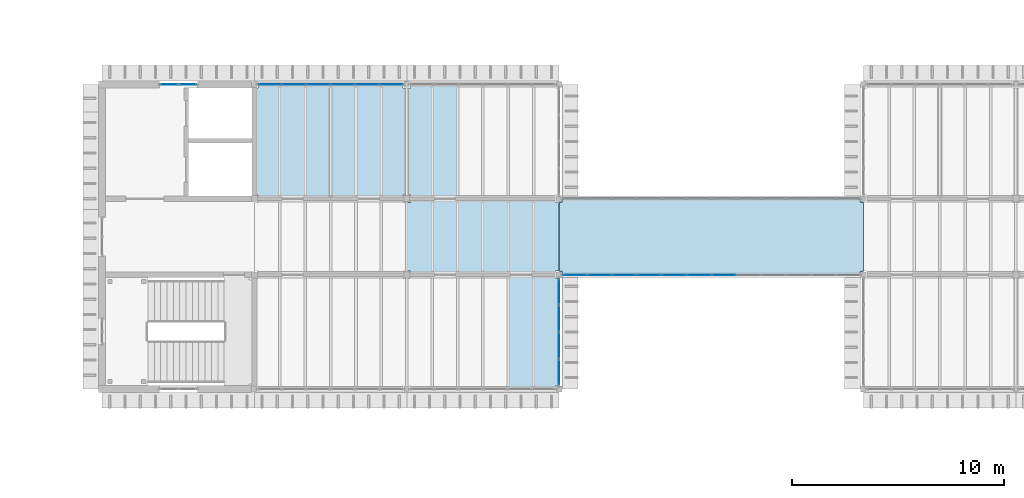
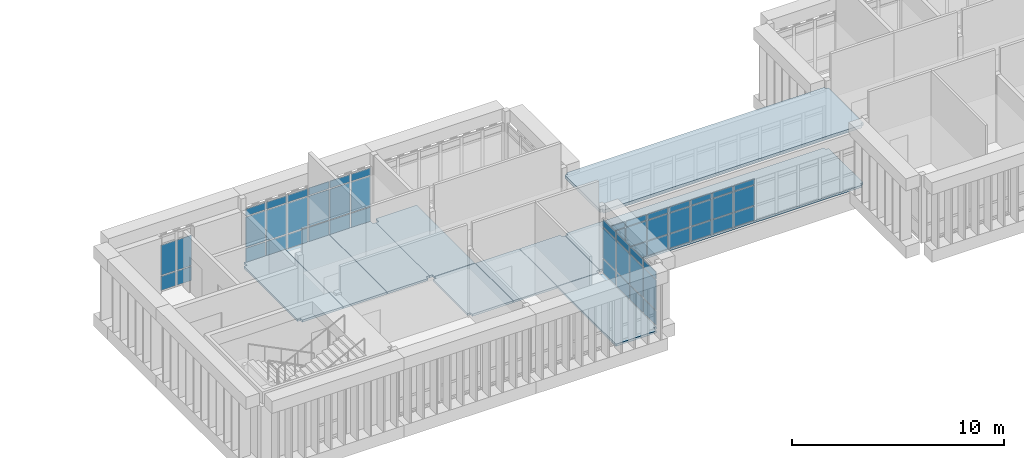
# One storey, part 24 of 51: 55 plates, 10 slabs, 4 elements without a shape of their own.
"""IFC4 building model written with IfcOpenShell, lengths in metres."""

from ifc_helpers import new_model, si_unit, direction, frame, origin, origin_2d, place, context, subcontext, project, spatial, polyline, rectangle, outline, extrude, material, layer, layer_set, type_object, element, aggregate, save


model = new_model("IFC4")

# Units and contexts
model_context = context("Model", 3, precision=1e-05, world=origin(), true_north=direction((0.0, 1.0)))
body_context = subcontext(model_context, "Body", "Model", "MODEL_VIEW")
ifc_project = project(units=[si_unit("LENGTHUNIT", "METRE"), si_unit("AREAUNIT", "SQUARE_METRE"), si_unit("VOLUMEUNIT", "CUBIC_METRE"), si_unit("PLANEANGLEUNIT", "RADIAN"), si_unit("MASSUNIT", "GRAM", prefix="KILO")], contexts=[model_context])

# Site, building, storey
site_placement = place(None, origin())
site = spatial("IfcSite", under=ifc_project, at=site_placement, CompositionType="ELEMENT")
building_placement = place(site_placement, origin())
building = spatial("IfcBuilding", under=site, at=building_placement, Name="Mazhai Court Health Centre", CompositionType="ELEMENT")
storey_placement = place(building_placement, frame((0.0, 0.0, 14.10009765625)))
storey = spatial("IfcBuildingStorey", under=building, at=storey_placement, Name="L03", CompositionType="ELEMENT", Elevation=14.10009765625)

# Slabs
ifc_material_1 = material(Name="CLT C24 5-ply", Category="wood")
ifc_layer_1 = layer(ifc_material_1, 0.1201171875)
ifc_layer_set_1 = layer_set([ifc_layer_1], Name="CLT C24 5-ply 120 floor panel")
slab_type_1 = type_object("IfcSlabType", Name="CLT C24 5-ply 120 floor panel", PredefinedType="FLOOR", material=ifc_layer_set_1)
slab_1_placement = place(storey_placement, frame((0.0, 0.0, -0.1201171875)))
element("IfcSlab", 1, at=slab_1_placement, inside=storey, type_object=slab_type_1, Name="slab-V4-L03-b1-B0", PredefinedType="FLOOR", context=body_context, shape_type="SweptSolid", body=[
    extrude(outline(polyline([(80.590087890625, 27.919921875), (78.3701171875, 27.919921875), (78.3701171875, 27.6298828125), (78.199951171875, 27.6298828125), (78.199951171875, 22.570068359375), (78.3701171875, 22.570068359375), (78.3701171875, 22.409912109375), (80.590087890625, 22.409912109375), (80.590087890625, 27.919921875)])), origin(), (0.0, 0.0, 1.0), 0.1201171875),
])
slab_2_placement = place(storey_placement, frame((0.0, 0.0, -0.1201171875)))
element("IfcSlab", 2, at=slab_2_placement, inside=storey, type_object=slab_type_1, Name="slab-V4-L03-b1-B1", PredefinedType="FLOOR", context=body_context, shape_type="SweptSolid", body=[
    extrude(outline(polyline([(80.610107421875, 22.409912109375), (82.989990234375, 22.409912109375), (82.989990234375, 27.919921875), (80.610107421875, 27.919921875), (80.610107421875, 22.409912109375)])), origin(), (0.0, 0.0, 1.0), 0.1201171875),
])
slab_3_placement = place(storey_placement, frame((0.0, 0.0, -0.1201171875)))
element("IfcSlab", 3, at=slab_3_placement, inside=storey, type_object=slab_type_1, Name="slab-V4-L03-b1-B2", PredefinedType="FLOOR", context=body_context, shape_type="SweptSolid", body=[
    extrude(outline(polyline([(85.39990234375, 22.570068359375), (85.39990234375, 27.6298828125), (85.22998046875, 27.6298828125), (85.22998046875, 27.919921875), (83.010009765625, 27.919921875), (83.010009765625, 22.409912109375), (85.22998046875, 22.409912109375), (85.22998046875, 22.570068359375), (85.39990234375, 22.570068359375)])), origin(), (0.0, 0.0, 1.0), 0.1201171875),
])
slab_4_placement = place(storey_placement, frame((0.0, 0.0, -0.1201171875)))
element("IfcSlab", 4, at=slab_4_placement, inside=storey, type_object=slab_type_1, Name="slab-V4-L03-b2-A2", PredefinedType="FLOOR", context=body_context, shape_type="SweptSolid", body=[
    extrude(outline(polyline([(92.60009765625, 13.570068359375), (92.60009765625, 18.6298828125), (92.429931640625, 18.6298828125), (92.429931640625, 18.7900390625), (90.2099609375, 18.7900390625), (90.2099609375, 13.280029296875), (92.429931640625, 13.280029296875), (92.429931640625, 13.570068359375), (92.60009765625, 13.570068359375)])), origin(), (0.0, 0.0, 1.0), 0.1201171875),
])
slab_5_placement = place(storey_placement, frame((0.0, 0.0, -0.1201171875)))
element("IfcSlab", 5, at=slab_5_placement, inside=storey, type_object=slab_type_1, Name="slab-V4-L03-b2-C0", PredefinedType="FLOOR", context=body_context, shape_type="SweptSolid", body=[
    extrude(outline(polyline([(87.7900390625, 22.389892578125), (85.570068359375, 22.389892578125), (85.570068359375, 22.22998046875), (85.39990234375, 22.22998046875), (85.39990234375, 18.969970703125), (85.570068359375, 18.969970703125), (85.570068359375, 18.81005859375), (87.7900390625, 18.81005859375), (87.7900390625, 22.389892578125)])), origin(), (0.0, 0.0, 1.0), 0.1201171875),
])
slab_6_placement = place(storey_placement, frame((0.0, 0.0, -0.1201171875)))
element("IfcSlab", 6, at=slab_6_placement, inside=storey, type_object=slab_type_1, Name="slab-V4-L03-b2-C1", PredefinedType="FLOOR", context=body_context, shape_type="SweptSolid", body=[
    extrude(outline(polyline([(87.81005859375, 18.81005859375), (90.18994140625, 18.81005859375), (90.18994140625, 22.389892578125), (87.81005859375, 22.389892578125), (87.81005859375, 18.81005859375)])), origin(), (0.0, 0.0, 1.0), 0.1201171875),
])
slab_7_placement = place(storey_placement, frame((0.0, 0.0, -0.1201171875)))
element("IfcSlab", 7, at=slab_7_placement, inside=storey, type_object=slab_type_1, Name="slab-V4-L03-b2-C2", PredefinedType="FLOOR", context=body_context, shape_type="SweptSolid", body=[
    extrude(outline(polyline([(92.60009765625, 18.969970703125), (92.60009765625, 22.22998046875), (92.429931640625, 22.22998046875), (92.429931640625, 22.389892578125), (90.2099609375, 22.389892578125), (90.2099609375, 18.81005859375), (92.429931640625, 18.81005859375), (92.429931640625, 18.969970703125), (92.60009765625, 18.969970703125)])), origin(), (0.0, 0.0, 1.0), 0.1201171875),
])
slab_8_placement = place(storey_placement, frame((0.0, 0.0, -0.1201171875)))
element("IfcSlab", 8, at=slab_8_placement, inside=storey, type_object=slab_type_1, Name="slab-V4-L03-b2-B0", PredefinedType="FLOOR", context=body_context, shape_type="SweptSolid", body=[
    extrude(outline(polyline([(87.7900390625, 27.919921875), (85.570068359375, 27.919921875), (85.570068359375, 27.6298828125), (85.39990234375, 27.6298828125), (85.39990234375, 22.570068359375), (85.570068359375, 22.570068359375), (85.570068359375, 22.409912109375), (87.7900390625, 22.409912109375), (87.7900390625, 27.919921875)])), origin(), (0.0, 0.0, 1.0), 0.1201171875),
])
slab_9_placement = place(storey_placement, frame((0.0, 0.0, -0.1201171875)))
element("IfcSlab", 9, at=slab_9_placement, inside=storey, type_object=slab_type_1, Name="slab-BR-LC3", PredefinedType="FLOOR", context=body_context, shape_type="SweptSolid", body=[
    extrude(outline(polyline([(106.989990234375, 18.969970703125), (106.989990234375, 22.22998046875), (106.830078125, 22.22998046875), (106.830078125, 22.3798828125), (92.77001953125, 22.3798828125), (92.77001953125, 22.22998046875), (92.610107421875, 22.22998046875), (92.610107421875, 18.969970703125), (92.77001953125, 18.969970703125), (92.77001953125, 18.820068359375), (106.830078125, 18.820068359375), (106.830078125, 18.969970703125), (106.989990234375, 18.969970703125)])), origin(), (0.0, 0.0, 1.0), 0.1201171875),
])
ifc_material_2 = material(Name="CLT C24 5-ply", Category="wood")
ifc_layer_2 = layer(ifc_material_2, 0.179931640625)
ifc_layer_set_2 = layer_set([ifc_layer_2], Name="CLT C24 5-ply 180 roof panel")
slab_type_2 = type_object("IfcSlabType", Name="CLT C24 5-ply 180 roof panel", PredefinedType="ROOF", material=ifc_layer_set_2)
slab_10_placement = place(storey_placement, frame((106.989990234375, 18.949951171875, 3.48486328125), z_axis=(0.0, 0.0, 1.0), x_axis=(0.0, 1.0, 0.0)))
element("IfcSlab", 10, at=slab_10_placement, inside=storey, type_object=slab_type_2, Name="slab-BR-LC3-roof", PredefinedType="ROOF", context=body_context, shape_type="SweptSolid", body=[
    extrude(outline(polyline([(0.0, 0.0), (3.300048828125, 0.0), (3.300048828125, 0.139892578125), (3.429931640625, 0.139892578125), (3.429931640625, 14.239990234375), (3.300048828125, 14.239990234375), (3.300048828125, 14.3798828125), (0.0, 14.3798828125), (0.0, 14.239990234375), (-0.1298828125, 14.239990234375), (-0.1298828125, 0.139892578125), (0.0, 0.139892578125), (0.0, 0.0)])), origin(), (0.0, 0.0, -1.0), 0.179931640625),
])

# Curtain wall, plates
ifc_material_3 = material(Name="Teak timber frame, glazed", Category="wood")
ifc_layer_3 = layer(ifc_material_3, 0.10009765625)
ifc_layer_set_3 = layer_set([ifc_layer_3], Name="CURTAIN WALL TIMBER 900")
curtain_wall_type_1 = type_object("IfcCurtainWallType", Name="CURTAIN WALL TIMBER 900", PredefinedType="NOTDEFINED", material=ifc_layer_set_3)
curtain_wall_1_placement = place(storey_placement, origin())
curtain_wall_1 = element("IfcCurtainWall", 11, at=curtain_wall_1_placement, inside=storey, type_object=curtain_wall_type_1, Name="CW-V4-L03-B0", PredefinedType="NOTDEFINED")
ifc_material_4 = material(Name="Glass IGU 28 mm", Category="glass")
ifc_layer_4 = layer(ifc_material_4, 0.028076171875)
ifc_layer_set_4 = layer_set([ifc_layer_4], Name="CW PANEL IGU 28")
plate_type = type_object("IfcPlateType", Name="CW PANEL IGU 28", PredefinedType="CURTAIN_PANEL", material=ifc_layer_set_4)
plate_1_placement = place(storey_placement, frame((74.1650390625, 27.800048828125, 0.059814453125), z_axis=(0.0, 0.0, 1.0), x_axis=(1.0, 0.0, 0.0)))
plate_1 = element("IfcPlate", 12, at=plate_1_placement, type_object=plate_type, Name="CW panel 1.1", PredefinedType="CURTAIN_PANEL", context=body_context, shape_type="SweptSolid", body=[
    extrude(rectangle(XDim=0.81005859375, YDim=0.028076171875, at=origin_2d()), origin(), (0.0, 0.0, 1.0), 0.81005859375),
])
plate_2_placement = place(storey_placement, frame((74.1650390625, 27.800048828125, 0.9296875), z_axis=(0.0, 0.0, 1.0), x_axis=(1.0, 0.0, 0.0)))
plate_2 = element("IfcPlate", 13, at=plate_2_placement, type_object=plate_type, Name="CW panel 1.2", PredefinedType="CURTAIN_PANEL", context=body_context, shape_type="SweptSolid", body=[
    extrude(rectangle(XDim=0.81005859375, YDim=0.028076171875, at=origin_2d()), origin(), (0.0, 0.0, 1.0), 1.739990234375),
])
plate_3_placement = place(storey_placement, frame((75.034912109375, 27.800048828125, 0.059814453125), z_axis=(0.0, 0.0, 1.0), x_axis=(1.0, 0.0, 0.0)))
plate_3 = element("IfcPlate", 14, at=plate_3_placement, type_object=plate_type, Name="CW panel 2.1", PredefinedType="CURTAIN_PANEL", context=body_context, shape_type="SweptSolid", body=[
    extrude(rectangle(XDim=0.81005859375, YDim=0.028076171875, at=origin_2d()), origin(), (0.0, 0.0, 1.0), 0.81005859375),
])
plate_4_placement = place(storey_placement, frame((75.034912109375, 27.800048828125, 0.9296875), z_axis=(0.0, 0.0, 1.0), x_axis=(1.0, 0.0, 0.0)))
plate_4 = element("IfcPlate", 15, at=plate_4_placement, type_object=plate_type, Name="CW panel 2.2", PredefinedType="CURTAIN_PANEL", context=body_context, shape_type="SweptSolid", body=[
    extrude(rectangle(XDim=0.81005859375, YDim=0.028076171875, at=origin_2d()), origin(), (0.0, 0.0, 1.0), 1.739990234375),
])
aggregate(curtain_wall_1, [plate_1, plate_2, plate_3, plate_4])

ifc_material_5 = material(Name="Teak timber frame, glazed", Category="wood")
ifc_layer_5 = layer(ifc_material_5, 0.10009765625)
ifc_layer_set_5 = layer_set([ifc_layer_5], Name="CURTAIN WALL TIMBER 1200")
curtain_wall_type_2 = type_object("IfcCurtainWallType", Name="CURTAIN WALL TIMBER 1200", PredefinedType="NOTDEFINED", material=ifc_layer_set_5)
curtain_wall_2_placement = place(storey_placement, origin())
curtain_wall_2 = element("IfcCurtainWall", 16, at=curtain_wall_2_placement, inside=storey, type_object=curtain_wall_type_2, Name="CW-V4-L03-B1", PredefinedType="NOTDEFINED")
plate_5_placement = place(storey_placement, frame((78.931640625, 27.800048828125, 0.059814453125), z_axis=(0.0, 0.0, 1.0), x_axis=(1.0, 0.0, 0.0)))
plate_5 = element("IfcPlate", 17, at=plate_5_placement, type_object=plate_type, Name="CW panel 1.1", PredefinedType="CURTAIN_PANEL", context=body_context, shape_type="SweptSolid", body=[
    extrude(rectangle(XDim=1.063232421875, YDim=0.028076171875, at=origin_2d()), origin(), (0.0, 0.0, 1.0), 0.81005859375),
])
plate_6_placement = place(storey_placement, frame((78.931640625, 27.800048828125, 0.9296875), z_axis=(0.0, 0.0, 1.0), x_axis=(1.0, 0.0, 0.0)))
plate_6 = element("IfcPlate", 18, at=plate_6_placement, type_object=plate_type, Name="CW panel 1.2", PredefinedType="CURTAIN_PANEL", context=body_context, shape_type="SweptSolid", body=[
    extrude(rectangle(XDim=1.063232421875, YDim=0.028076171875, at=origin_2d()), origin(), (0.0, 0.0, 1.0), 1.739990234375),
])
plate_7_placement = place(storey_placement, frame((78.931640625, 27.800048828125, 2.72998046875), z_axis=(0.0, 0.0, 1.0), x_axis=(1.0, 0.0, 0.0)))
plate_7 = element("IfcPlate", 19, at=plate_7_placement, type_object=plate_type, Name="CW panel 1.3", PredefinedType="CURTAIN_PANEL", context=body_context, shape_type="SweptSolid", body=[
    extrude(rectangle(XDim=1.063232421875, YDim=0.028076171875, at=origin_2d()), origin(), (0.0, 0.0, 1.0), 0.409912109375),
])
plate_8_placement = place(storey_placement, frame((80.070068359375, 27.800048828125, 0.059814453125), z_axis=(0.0, 0.0, 1.0), x_axis=(1.0, 0.0, 0.0)))
plate_8 = element("IfcPlate", 20, at=plate_8_placement, type_object=plate_type, Name="CW panel 2.1", PredefinedType="CURTAIN_PANEL", context=body_context, shape_type="SweptSolid", body=[
    extrude(rectangle(XDim=1.09326171875, YDim=0.028076171875, at=origin_2d()), origin(), (0.0, 0.0, 1.0), 0.81005859375),
])
plate_9_placement = place(storey_placement, frame((80.070068359375, 27.800048828125, 0.9296875), z_axis=(0.0, 0.0, 1.0), x_axis=(1.0, 0.0, 0.0)))
plate_9 = element("IfcPlate", 21, at=plate_9_placement, type_object=plate_type, Name="CW panel 2.2", PredefinedType="CURTAIN_PANEL", context=body_context, shape_type="SweptSolid", body=[
    extrude(rectangle(XDim=1.09326171875, YDim=0.028076171875, at=origin_2d()), origin(), (0.0, 0.0, 1.0), 1.739990234375),
])
plate_10_placement = place(storey_placement, frame((80.070068359375, 27.800048828125, 2.72998046875), z_axis=(0.0, 0.0, 1.0), x_axis=(1.0, 0.0, 0.0)))
plate_10 = element("IfcPlate", 22, at=plate_10_placement, type_object=plate_type, Name="CW panel 2.3", PredefinedType="CURTAIN_PANEL", context=body_context, shape_type="SweptSolid", body=[
    extrude(rectangle(XDim=1.09326171875, YDim=0.028076171875, at=origin_2d()), origin(), (0.0, 0.0, 1.0), 0.409912109375),
])
plate_11_placement = place(storey_placement, frame((81.223388671875, 27.800048828125, 0.059814453125), z_axis=(0.0, 0.0, 1.0), x_axis=(1.0, 0.0, 0.0)))
plate_11 = element("IfcPlate", 23, at=plate_11_placement, type_object=plate_type, Name="CW panel 3.1", PredefinedType="CURTAIN_PANEL", context=body_context, shape_type="SweptSolid", body=[
    extrude(rectangle(XDim=1.09326171875, YDim=0.028076171875, at=origin_2d()), origin(), (0.0, 0.0, 1.0), 0.81005859375),
])
plate_12_placement = place(storey_placement, frame((81.223388671875, 27.800048828125, 0.9296875), z_axis=(0.0, 0.0, 1.0), x_axis=(1.0, 0.0, 0.0)))
plate_12 = element("IfcPlate", 24, at=plate_12_placement, type_object=plate_type, Name="CW panel 3.2", PredefinedType="CURTAIN_PANEL", context=body_context, shape_type="SweptSolid", body=[
    extrude(rectangle(XDim=1.09326171875, YDim=0.028076171875, at=origin_2d()), origin(), (0.0, 0.0, 1.0), 1.739990234375),
])
plate_13_placement = place(storey_placement, frame((81.223388671875, 27.800048828125, 2.72998046875), z_axis=(0.0, 0.0, 1.0), x_axis=(1.0, 0.0, 0.0)))
plate_13 = element("IfcPlate", 25, at=plate_13_placement, type_object=plate_type, Name="CW panel 3.3", PredefinedType="CURTAIN_PANEL", context=body_context, shape_type="SweptSolid", body=[
    extrude(rectangle(XDim=1.09326171875, YDim=0.028076171875, at=origin_2d()), origin(), (0.0, 0.0, 1.0), 0.409912109375),
])
plate_14_placement = place(storey_placement, frame((82.376708984375, 27.800048828125, 0.059814453125), z_axis=(0.0, 0.0, 1.0), x_axis=(1.0, 0.0, 0.0)))
plate_14 = element("IfcPlate", 26, at=plate_14_placement, type_object=plate_type, Name="CW panel 4.1", PredefinedType="CURTAIN_PANEL", context=body_context, shape_type="SweptSolid", body=[
    extrude(rectangle(XDim=1.09326171875, YDim=0.028076171875, at=origin_2d()), origin(), (0.0, 0.0, 1.0), 0.81005859375),
])
plate_15_placement = place(storey_placement, frame((82.376708984375, 27.800048828125, 0.9296875), z_axis=(0.0, 0.0, 1.0), x_axis=(1.0, 0.0, 0.0)))
plate_15 = element("IfcPlate", 27, at=plate_15_placement, type_object=plate_type, Name="CW panel 4.2", PredefinedType="CURTAIN_PANEL", context=body_context, shape_type="SweptSolid", body=[
    extrude(rectangle(XDim=1.09326171875, YDim=0.028076171875, at=origin_2d()), origin(), (0.0, 0.0, 1.0), 1.739990234375),
])
plate_16_placement = place(storey_placement, frame((82.376708984375, 27.800048828125, 2.72998046875), z_axis=(0.0, 0.0, 1.0), x_axis=(1.0, 0.0, 0.0)))
plate_16 = element("IfcPlate", 28, at=plate_16_placement, type_object=plate_type, Name="CW panel 4.3", PredefinedType="CURTAIN_PANEL", context=body_context, shape_type="SweptSolid", body=[
    extrude(rectangle(XDim=1.09326171875, YDim=0.028076171875, at=origin_2d()), origin(), (0.0, 0.0, 1.0), 0.409912109375),
])
plate_17_placement = place(storey_placement, frame((83.530029296875, 27.800048828125, 0.059814453125), z_axis=(0.0, 0.0, 1.0), x_axis=(1.0, 0.0, 0.0)))
plate_17 = element("IfcPlate", 29, at=plate_17_placement, type_object=plate_type, Name="CW panel 5.1", PredefinedType="CURTAIN_PANEL", context=body_context, shape_type="SweptSolid", body=[
    extrude(rectangle(XDim=1.09326171875, YDim=0.028076171875, at=origin_2d()), origin(), (0.0, 0.0, 1.0), 0.81005859375),
])
plate_18_placement = place(storey_placement, frame((83.530029296875, 27.800048828125, 0.9296875), z_axis=(0.0, 0.0, 1.0), x_axis=(1.0, 0.0, 0.0)))
plate_18 = element("IfcPlate", 30, at=plate_18_placement, type_object=plate_type, Name="CW panel 5.2", PredefinedType="CURTAIN_PANEL", context=body_context, shape_type="SweptSolid", body=[
    extrude(rectangle(XDim=1.09326171875, YDim=0.028076171875, at=origin_2d()), origin(), (0.0, 0.0, 1.0), 1.739990234375),
])
plate_19_placement = place(storey_placement, frame((83.530029296875, 27.800048828125, 2.72998046875), z_axis=(0.0, 0.0, 1.0), x_axis=(1.0, 0.0, 0.0)))
plate_19 = element("IfcPlate", 31, at=plate_19_placement, type_object=plate_type, Name="CW panel 5.3", PredefinedType="CURTAIN_PANEL", context=body_context, shape_type="SweptSolid", body=[
    extrude(rectangle(XDim=1.09326171875, YDim=0.028076171875, at=origin_2d()), origin(), (0.0, 0.0, 1.0), 0.409912109375),
])
plate_20_placement = place(storey_placement, frame((84.668212890625, 27.800048828125, 0.059814453125), z_axis=(0.0, 0.0, 1.0), x_axis=(1.0, 0.0, 0.0)))
plate_20 = element("IfcPlate", 32, at=plate_20_placement, type_object=plate_type, Name="CW panel 6.1", PredefinedType="CURTAIN_PANEL", context=body_context, shape_type="SweptSolid", body=[
    extrude(rectangle(XDim=1.063232421875, YDim=0.028076171875, at=origin_2d()), origin(), (0.0, 0.0, 1.0), 0.81005859375),
])
plate_21_placement = place(storey_placement, frame((84.668212890625, 27.800048828125, 0.9296875), z_axis=(0.0, 0.0, 1.0), x_axis=(1.0, 0.0, 0.0)))
plate_21 = element("IfcPlate", 33, at=plate_21_placement, type_object=plate_type, Name="CW panel 6.2", PredefinedType="CURTAIN_PANEL", context=body_context, shape_type="SweptSolid", body=[
    extrude(rectangle(XDim=1.063232421875, YDim=0.028076171875, at=origin_2d()), origin(), (0.0, 0.0, 1.0), 1.739990234375),
])
plate_22_placement = place(storey_placement, frame((84.668212890625, 27.800048828125, 2.72998046875), z_axis=(0.0, 0.0, 1.0), x_axis=(1.0, 0.0, 0.0)))
plate_22 = element("IfcPlate", 34, at=plate_22_placement, type_object=plate_type, Name="CW panel 6.3", PredefinedType="CURTAIN_PANEL", context=body_context, shape_type="SweptSolid", body=[
    extrude(rectangle(XDim=1.063232421875, YDim=0.028076171875, at=origin_2d()), origin(), (0.0, 0.0, 1.0), 0.409912109375),
])
aggregate(curtain_wall_2, [plate_5, plate_6, plate_7, plate_8, plate_9, plate_10, plate_11, plate_12, plate_13, plate_14, plate_15, plate_16, plate_17, plate_18, plate_19, plate_20, plate_21, plate_22])

curtain_wall_3_placement = place(storey_placement, origin())
curtain_wall_3 = element("IfcCurtainWall", 35, at=curtain_wall_3_placement, inside=storey, type_object=curtain_wall_type_2, Name="CW-V4-L03-CE2-0", PredefinedType="NOTDEFINED")
plate_23_placement = place(storey_placement, frame((92.60009765625, 18.0048828125, 0.059814453125), z_axis=(0.0, 0.0, 1.0), x_axis=(0.0, -1.0, 0.0)))
plate_23 = element("IfcPlate", 36, at=plate_23_placement, type_object=plate_type, Name="CW panel 1.1", PredefinedType="CURTAIN_PANEL", context=body_context, shape_type="SweptSolid", body=[
    extrude(rectangle(XDim=1.18994140625, YDim=0.028076171875, at=origin_2d()), origin(), (0.0, 0.0, 1.0), 0.81005859375),
])
plate_24_placement = place(storey_placement, frame((92.60009765625, 18.0048828125, 0.9296875), z_axis=(0.0, 0.0, 1.0), x_axis=(0.0, -1.0, 0.0)))
plate_24 = element("IfcPlate", 37, at=plate_24_placement, type_object=plate_type, Name="CW panel 1.2", PredefinedType="CURTAIN_PANEL", context=body_context, shape_type="SweptSolid", body=[
    extrude(rectangle(XDim=1.18994140625, YDim=0.028076171875, at=origin_2d()), origin(), (0.0, 0.0, 1.0), 1.739990234375),
])
plate_25_placement = place(storey_placement, frame((92.60009765625, 18.0048828125, 2.72998046875), z_axis=(0.0, 0.0, 1.0), x_axis=(0.0, -1.0, 0.0)))
plate_25 = element("IfcPlate", 38, at=plate_25_placement, type_object=plate_type, Name="CW panel 1.3", PredefinedType="CURTAIN_PANEL", context=body_context, shape_type="SweptSolid", body=[
    extrude(rectangle(XDim=1.18994140625, YDim=0.028076171875, at=origin_2d()), origin(), (0.0, 0.0, 1.0), 0.409912109375),
])
plate_26_placement = place(storey_placement, frame((92.60009765625, 16.739990234375, 0.059814453125), z_axis=(0.0, 0.0, 1.0), x_axis=(0.0, -1.0, 0.0)))
plate_26 = element("IfcPlate", 39, at=plate_26_placement, type_object=plate_type, Name="CW panel 2.1", PredefinedType="CURTAIN_PANEL", context=body_context, shape_type="SweptSolid", body=[
    extrude(rectangle(XDim=1.219970703125, YDim=0.028076171875, at=origin_2d()), origin(), (0.0, 0.0, 1.0), 0.81005859375),
])
plate_27_placement = place(storey_placement, frame((92.60009765625, 16.739990234375, 0.9296875), z_axis=(0.0, 0.0, 1.0), x_axis=(0.0, -1.0, 0.0)))
plate_27 = element("IfcPlate", 40, at=plate_27_placement, type_object=plate_type, Name="CW panel 2.2", PredefinedType="CURTAIN_PANEL", context=body_context, shape_type="SweptSolid", body=[
    extrude(rectangle(XDim=1.219970703125, YDim=0.028076171875, at=origin_2d()), origin(), (0.0, 0.0, 1.0), 1.739990234375),
])
plate_28_placement = place(storey_placement, frame((92.60009765625, 16.739990234375, 2.72998046875), z_axis=(0.0, 0.0, 1.0), x_axis=(0.0, -1.0, 0.0)))
plate_28 = element("IfcPlate", 41, at=plate_28_placement, type_object=plate_type, Name="CW panel 2.3", PredefinedType="CURTAIN_PANEL", context=body_context, shape_type="SweptSolid", body=[
    extrude(rectangle(XDim=1.219970703125, YDim=0.028076171875, at=origin_2d()), origin(), (0.0, 0.0, 1.0), 0.409912109375),
])
plate_29_placement = place(storey_placement, frame((92.60009765625, 15.4599609375, 0.059814453125), z_axis=(0.0, 0.0, 1.0), x_axis=(0.0, -1.0, 0.0)))
plate_29 = element("IfcPlate", 42, at=plate_29_placement, type_object=plate_type, Name="CW panel 3.1", PredefinedType="CURTAIN_PANEL", context=body_context, shape_type="SweptSolid", body=[
    extrude(rectangle(XDim=1.219970703125, YDim=0.028076171875, at=origin_2d()), origin(), (0.0, 0.0, 1.0), 0.81005859375),
])
plate_30_placement = place(storey_placement, frame((92.60009765625, 15.4599609375, 0.9296875), z_axis=(0.0, 0.0, 1.0), x_axis=(0.0, -1.0, 0.0)))
plate_30 = element("IfcPlate", 43, at=plate_30_placement, type_object=plate_type, Name="CW panel 3.2", PredefinedType="CURTAIN_PANEL", context=body_context, shape_type="SweptSolid", body=[
    extrude(rectangle(XDim=1.219970703125, YDim=0.028076171875, at=origin_2d()), origin(), (0.0, 0.0, 1.0), 1.739990234375),
])
plate_31_placement = place(storey_placement, frame((92.60009765625, 15.4599609375, 2.72998046875), z_axis=(0.0, 0.0, 1.0), x_axis=(0.0, -1.0, 0.0)))
plate_31 = element("IfcPlate", 44, at=plate_31_placement, type_object=plate_type, Name="CW panel 3.3", PredefinedType="CURTAIN_PANEL", context=body_context, shape_type="SweptSolid", body=[
    extrude(rectangle(XDim=1.219970703125, YDim=0.028076171875, at=origin_2d()), origin(), (0.0, 0.0, 1.0), 0.409912109375),
])
plate_32_placement = place(storey_placement, frame((92.60009765625, 14.195068359375, 0.059814453125), z_axis=(0.0, 0.0, 1.0), x_axis=(0.0, -1.0, 0.0)))
plate_32 = element("IfcPlate", 45, at=plate_32_placement, type_object=plate_type, Name="CW panel 4.1", PredefinedType="CURTAIN_PANEL", context=body_context, shape_type="SweptSolid", body=[
    extrude(rectangle(XDim=1.18994140625, YDim=0.028076171875, at=origin_2d()), origin(), (0.0, 0.0, 1.0), 0.81005859375),
])
plate_33_placement = place(storey_placement, frame((92.60009765625, 14.195068359375, 0.9296875), z_axis=(0.0, 0.0, 1.0), x_axis=(0.0, -1.0, 0.0)))
plate_33 = element("IfcPlate", 46, at=plate_33_placement, type_object=plate_type, Name="CW panel 4.2", PredefinedType="CURTAIN_PANEL", context=body_context, shape_type="SweptSolid", body=[
    extrude(rectangle(XDim=1.18994140625, YDim=0.028076171875, at=origin_2d()), origin(), (0.0, 0.0, 1.0), 1.739990234375),
])
plate_34_placement = place(storey_placement, frame((92.60009765625, 14.195068359375, 2.72998046875), z_axis=(0.0, 0.0, 1.0), x_axis=(0.0, -1.0, 0.0)))
plate_34 = element("IfcPlate", 47, at=plate_34_placement, type_object=plate_type, Name="CW panel 4.3", PredefinedType="CURTAIN_PANEL", context=body_context, shape_type="SweptSolid", body=[
    extrude(rectangle(XDim=1.18994140625, YDim=0.028076171875, at=origin_2d()), origin(), (0.0, 0.0, 1.0), 0.409912109375),
])
aggregate(curtain_wall_3, [plate_23, plate_24, plate_25, plate_26, plate_27, plate_28, plate_29, plate_30, plate_31, plate_32, plate_33, plate_34])

curtain_wall_4_placement = place(storey_placement, origin())
curtain_wall_4 = element("IfcCurtainWall", 48, at=curtain_wall_4_placement, inside=storey, type_object=curtain_wall_type_2, Name="CW-BR-LC3-S", PredefinedType="NOTDEFINED")
plate_35_placement = place(storey_placement, frame((93.34326171875, 18.800048828125, 0.059814453125), z_axis=(0.0, 0.0, 1.0), x_axis=(1.0, 0.0, 0.0)))
plate_35 = element("IfcPlate", 49, at=plate_35_placement, type_object=plate_type, Name="CW panel 1.1", PredefinedType="CURTAIN_PANEL", context=body_context, shape_type="SweptSolid", body=[
    extrude(rectangle(XDim=1.086669921875, YDim=0.028076171875, at=origin_2d()), origin(), (0.0, 0.0, 1.0), 0.81005859375),
])
plate_36_placement = place(storey_placement, frame((93.34326171875, 18.800048828125, 0.929931640625), z_axis=(0.0, 0.0, 1.0), x_axis=(1.0, 0.0, 0.0)))
plate_36 = element("IfcPlate", 50, at=plate_36_placement, type_object=plate_type, Name="CW panel 1.2", PredefinedType="CURTAIN_PANEL", context=body_context, shape_type="SweptSolid", body=[
    extrude(rectangle(XDim=1.086669921875, YDim=0.028076171875, at=origin_2d()), origin(), (0.0, 0.0, 1.0), 1.14501953125),
])
plate_37_placement = place(storey_placement, frame((93.34326171875, 18.800048828125, 2.134765625), z_axis=(0.0, 0.0, 1.0), x_axis=(1.0, 0.0, 0.0)))
plate_37 = element("IfcPlate", 51, at=plate_37_placement, type_object=plate_type, Name="CW panel 1.3", PredefinedType="CURTAIN_PANEL", context=body_context, shape_type="SweptSolid", body=[
    extrude(rectangle(XDim=1.086669921875, YDim=0.028076171875, at=origin_2d()), origin(), (0.0, 0.0, 1.0), 0.31005859375),
])
plate_38_placement = place(storey_placement, frame((94.5048828125, 18.800048828125, 0.059814453125), z_axis=(0.0, 0.0, 1.0), x_axis=(1.0, 0.0, 0.0)))
plate_38 = element("IfcPlate", 52, at=plate_38_placement, type_object=plate_type, Name="CW panel 2.1", PredefinedType="CURTAIN_PANEL", context=body_context, shape_type="SweptSolid", body=[
    extrude(rectangle(XDim=1.11669921875, YDim=0.028076171875, at=origin_2d()), origin(), (0.0, 0.0, 1.0), 0.81005859375),
])
plate_39_placement = place(storey_placement, frame((94.5048828125, 18.800048828125, 0.929931640625), z_axis=(0.0, 0.0, 1.0), x_axis=(1.0, 0.0, 0.0)))
plate_39 = element("IfcPlate", 53, at=plate_39_placement, type_object=plate_type, Name="CW panel 2.2", PredefinedType="CURTAIN_PANEL", context=body_context, shape_type="SweptSolid", body=[
    extrude(rectangle(XDim=1.11669921875, YDim=0.028076171875, at=origin_2d()), origin(), (0.0, 0.0, 1.0), 1.14501953125),
])
plate_40_placement = place(storey_placement, frame((94.5048828125, 18.800048828125, 2.134765625), z_axis=(0.0, 0.0, 1.0), x_axis=(1.0, 0.0, 0.0)))
plate_40 = element("IfcPlate", 54, at=plate_40_placement, type_object=plate_type, Name="CW panel 2.3", PredefinedType="CURTAIN_PANEL", context=body_context, shape_type="SweptSolid", body=[
    extrude(rectangle(XDim=1.11669921875, YDim=0.028076171875, at=origin_2d()), origin(), (0.0, 0.0, 1.0), 0.31005859375),
])
plate_41_placement = place(storey_placement, frame((95.681640625, 18.800048828125, 0.059814453125), z_axis=(0.0, 0.0, 1.0), x_axis=(1.0, 0.0, 0.0)))
plate_41 = element("IfcPlate", 55, at=plate_41_placement, type_object=plate_type, Name="CW panel 3.1", PredefinedType="CURTAIN_PANEL", context=body_context, shape_type="SweptSolid", body=[
    extrude(rectangle(XDim=1.11669921875, YDim=0.028076171875, at=origin_2d()), origin(), (0.0, 0.0, 1.0), 0.81005859375),
])
plate_42_placement = place(storey_placement, frame((95.681640625, 18.800048828125, 0.929931640625), z_axis=(0.0, 0.0, 1.0), x_axis=(1.0, 0.0, 0.0)))
plate_42 = element("IfcPlate", 56, at=plate_42_placement, type_object=plate_type, Name="CW panel 3.2", PredefinedType="CURTAIN_PANEL", context=body_context, shape_type="SweptSolid", body=[
    extrude(rectangle(XDim=1.11669921875, YDim=0.028076171875, at=origin_2d()), origin(), (0.0, 0.0, 1.0), 1.14501953125),
])
plate_43_placement = place(storey_placement, frame((95.681640625, 18.800048828125, 2.134765625), z_axis=(0.0, 0.0, 1.0), x_axis=(1.0, 0.0, 0.0)))
plate_43 = element("IfcPlate", 57, at=plate_43_placement, type_object=plate_type, Name="CW panel 3.3", PredefinedType="CURTAIN_PANEL", context=body_context, shape_type="SweptSolid", body=[
    extrude(rectangle(XDim=1.11669921875, YDim=0.028076171875, at=origin_2d()), origin(), (0.0, 0.0, 1.0), 0.31005859375),
])
plate_44_placement = place(storey_placement, frame((96.8583984375, 18.800048828125, 0.059814453125), z_axis=(0.0, 0.0, 1.0), x_axis=(1.0, 0.0, 0.0)))
plate_44 = element("IfcPlate", 58, at=plate_44_placement, type_object=plate_type, Name="CW panel 4.1", PredefinedType="CURTAIN_PANEL", context=body_context, shape_type="SweptSolid", body=[
    extrude(rectangle(XDim=1.11669921875, YDim=0.028076171875, at=origin_2d()), origin(), (0.0, 0.0, 1.0), 0.81005859375),
])
plate_45_placement = place(storey_placement, frame((96.8583984375, 18.800048828125, 0.929931640625), z_axis=(0.0, 0.0, 1.0), x_axis=(1.0, 0.0, 0.0)))
plate_45 = element("IfcPlate", 59, at=plate_45_placement, type_object=plate_type, Name="CW panel 4.2", PredefinedType="CURTAIN_PANEL", context=body_context, shape_type="SweptSolid", body=[
    extrude(rectangle(XDim=1.11669921875, YDim=0.028076171875, at=origin_2d()), origin(), (0.0, 0.0, 1.0), 1.14501953125),
])
plate_46_placement = place(storey_placement, frame((96.8583984375, 18.800048828125, 2.134765625), z_axis=(0.0, 0.0, 1.0), x_axis=(1.0, 0.0, 0.0)))
plate_46 = element("IfcPlate", 60, at=plate_46_placement, type_object=plate_type, Name="CW panel 4.3", PredefinedType="CURTAIN_PANEL", context=body_context, shape_type="SweptSolid", body=[
    extrude(rectangle(XDim=1.11669921875, YDim=0.028076171875, at=origin_2d()), origin(), (0.0, 0.0, 1.0), 0.31005859375),
])
plate_47_placement = place(storey_placement, frame((98.034912109375, 18.800048828125, 0.059814453125), z_axis=(0.0, 0.0, 1.0), x_axis=(1.0, 0.0, 0.0)))
plate_47 = element("IfcPlate", 61, at=plate_47_placement, type_object=plate_type, Name="CW panel 5.1", PredefinedType="CURTAIN_PANEL", context=body_context, shape_type="SweptSolid", body=[
    extrude(rectangle(XDim=1.11669921875, YDim=0.028076171875, at=origin_2d()), origin(), (0.0, 0.0, 1.0), 0.81005859375),
])
plate_48_placement = place(storey_placement, frame((98.034912109375, 18.800048828125, 0.929931640625), z_axis=(0.0, 0.0, 1.0), x_axis=(1.0, 0.0, 0.0)))
plate_48 = element("IfcPlate", 62, at=plate_48_placement, type_object=plate_type, Name="CW panel 5.2", PredefinedType="CURTAIN_PANEL", context=body_context, shape_type="SweptSolid", body=[
    extrude(rectangle(XDim=1.11669921875, YDim=0.028076171875, at=origin_2d()), origin(), (0.0, 0.0, 1.0), 1.14501953125),
])
plate_49_placement = place(storey_placement, frame((98.034912109375, 18.800048828125, 2.134765625), z_axis=(0.0, 0.0, 1.0), x_axis=(1.0, 0.0, 0.0)))
plate_49 = element("IfcPlate", 63, at=plate_49_placement, type_object=plate_type, Name="CW panel 5.3", PredefinedType="CURTAIN_PANEL", context=body_context, shape_type="SweptSolid", body=[
    extrude(rectangle(XDim=1.11669921875, YDim=0.028076171875, at=origin_2d()), origin(), (0.0, 0.0, 1.0), 0.31005859375),
])
plate_50_placement = place(storey_placement, frame((99.211669921875, 18.800048828125, 0.059814453125), z_axis=(0.0, 0.0, 1.0), x_axis=(1.0, 0.0, 0.0)))
plate_50 = element("IfcPlate", 64, at=plate_50_placement, type_object=plate_type, Name="CW panel 6.1", PredefinedType="CURTAIN_PANEL", context=body_context, shape_type="SweptSolid", body=[
    extrude(rectangle(XDim=1.11669921875, YDim=0.028076171875, at=origin_2d()), origin(), (0.0, 0.0, 1.0), 0.81005859375),
])
plate_51_placement = place(storey_placement, frame((99.211669921875, 18.800048828125, 0.929931640625), z_axis=(0.0, 0.0, 1.0), x_axis=(1.0, 0.0, 0.0)))
plate_51 = element("IfcPlate", 65, at=plate_51_placement, type_object=plate_type, Name="CW panel 6.2", PredefinedType="CURTAIN_PANEL", context=body_context, shape_type="SweptSolid", body=[
    extrude(rectangle(XDim=1.11669921875, YDim=0.028076171875, at=origin_2d()), origin(), (0.0, 0.0, 1.0), 1.14501953125),
])
plate_52_placement = place(storey_placement, frame((99.211669921875, 18.800048828125, 2.134765625), z_axis=(0.0, 0.0, 1.0), x_axis=(1.0, 0.0, 0.0)))
plate_52 = element("IfcPlate", 66, at=plate_52_placement, type_object=plate_type, Name="CW panel 6.3", PredefinedType="CURTAIN_PANEL", context=body_context, shape_type="SweptSolid", body=[
    extrude(rectangle(XDim=1.11669921875, YDim=0.028076171875, at=origin_2d()), origin(), (0.0, 0.0, 1.0), 0.31005859375),
])
plate_53_placement = place(storey_placement, frame((100.388427734375, 18.800048828125, 0.059814453125), z_axis=(0.0, 0.0, 1.0), x_axis=(1.0, 0.0, 0.0)))
plate_53 = element("IfcPlate", 67, at=plate_53_placement, type_object=plate_type, Name="CW panel 7.1", PredefinedType="CURTAIN_PANEL", context=body_context, shape_type="SweptSolid", body=[
    extrude(rectangle(XDim=1.11669921875, YDim=0.028076171875, at=origin_2d()), origin(), (0.0, 0.0, 1.0), 0.81005859375),
])
plate_54_placement = place(storey_placement, frame((100.388427734375, 18.800048828125, 0.929931640625), z_axis=(0.0, 0.0, 1.0), x_axis=(1.0, 0.0, 0.0)))
plate_54 = element("IfcPlate", 68, at=plate_54_placement, type_object=plate_type, Name="CW panel 7.2", PredefinedType="CURTAIN_PANEL", context=body_context, shape_type="SweptSolid", body=[
    extrude(rectangle(XDim=1.11669921875, YDim=0.028076171875, at=origin_2d()), origin(), (0.0, 0.0, 1.0), 1.14501953125),
])
plate_55_placement = place(storey_placement, frame((100.388427734375, 18.800048828125, 2.134765625), z_axis=(0.0, 0.0, 1.0), x_axis=(1.0, 0.0, 0.0)))
plate_55 = element("IfcPlate", 69, at=plate_55_placement, type_object=plate_type, Name="CW panel 7.3", PredefinedType="CURTAIN_PANEL", context=body_context, shape_type="SweptSolid", body=[
    extrude(rectangle(XDim=1.11669921875, YDim=0.028076171875, at=origin_2d()), origin(), (0.0, 0.0, 1.0), 0.31005859375),
])
aggregate(curtain_wall_4, [plate_35, plate_36, plate_37, plate_38, plate_39, plate_40, plate_41, plate_42, plate_43, plate_44, plate_45, plate_46, plate_47, plate_48, plate_49, plate_50, plate_51, plate_52, plate_53, plate_54, plate_55])

save(model, "model.ifc")
